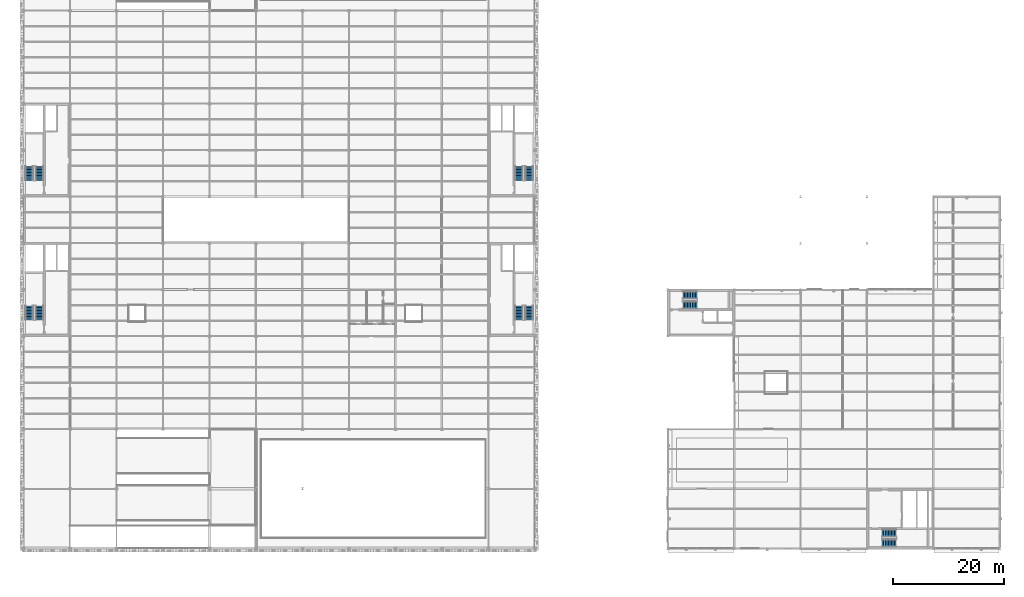
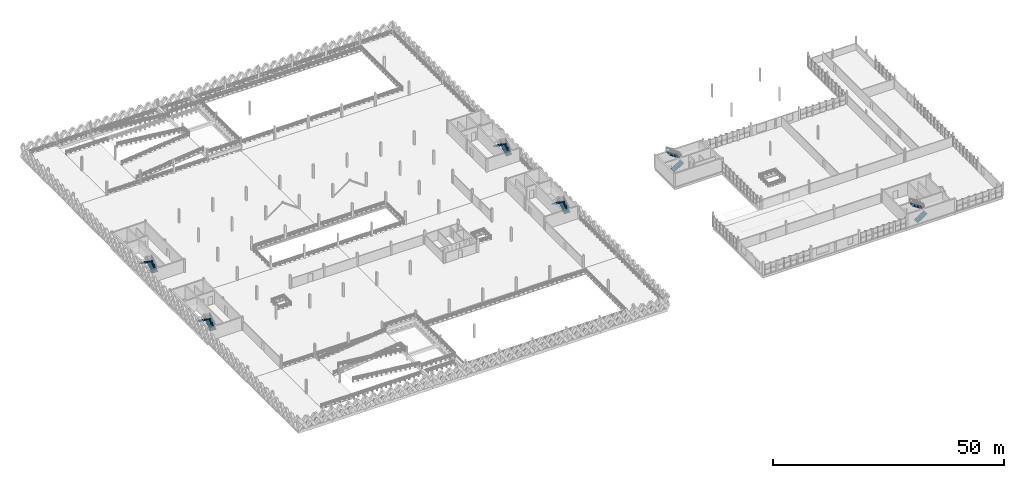
# One storey, part 68 of 79: 12 stair flights, 6 elements without a shape of their own.
"""IFC4 building model written with IfcOpenShell, lengths in metres."""

from ifc_helpers import new_model, si_unit, direction, frame, origin, place, context, subcontext, project, spatial, polyline, outline, extrude, material, type_object, element, aggregate, save


model = new_model("IFC4")

# Units and contexts
model_context = context("Model", 3, precision=1e-05, world=origin(), true_north=direction((0.0, 1.0)))
body_context = subcontext(model_context, "Body", "Model", "MODEL_VIEW")
ifc_project = project(units=[si_unit("LENGTHUNIT", "METRE"), si_unit("AREAUNIT", "SQUARE_METRE"), si_unit("VOLUMEUNIT", "CUBIC_METRE"), si_unit("PLANEANGLEUNIT", "RADIAN"), si_unit("MASSUNIT", "GRAM", prefix="KILO"), si_unit("THERMODYNAMICTEMPERATUREUNIT", "KELVIN"), si_unit("POWERUNIT", "WATT")], contexts=[model_context])

# Site, building, storey
site_placement = place(None, origin())
site = spatial("IfcSite", under=ifc_project, at=site_placement, CompositionType="ELEMENT")
building_placement = place(site_placement, origin())
building = spatial("IfcBuilding", under=site, at=building_placement, Name="Tembeka Court Mobility Hub", CompositionType="ELEMENT")
storey_placement = place(building_placement, frame((0.0, 0.0, 9.0)))
storey = spatial("IfcBuildingStorey", under=building, at=storey_placement, Name="L02", CompositionType="ELEMENT", Elevation=9.0)

# Stair, stair flights
ifc_material = material(Name="Concrete C40/50", Category="concrete")
stair_type_1 = type_object("IfcStairType", Name="STR-ST01L02", PredefinedType="HALF_TURN_STAIR", material=ifc_material)
stair_1_placement = place(storey_placement, origin())
stair_1 = element("IfcStair", 1, at=stair_1_placement, inside=storey, type_object=stair_type_1, Name="Protected exit stair ST01 (L02)", PredefinedType="HALF_TURN_STAIR")
stair_flight_type_1 = type_object("IfcStairFlightType", Name="STF-ST01L02F1", PredefinedType="STRAIGHT", material=ifc_material)
stair_flight_1_placement = place(storey_placement, frame((2.875, 41.35009765625, 0.0), z_axis=(0.0, 0.0, 1.0), x_axis=(0.0, 1.0, 0.0)))
stair_flight_1 = element("IfcStairFlight", 2, at=stair_flight_1_placement, type_object=stair_flight_type_1, Name="ST01L02 flight 1", NumberOfRisers=10, NumberOfTreads=9, PredefinedType="STRAIGHT", RiserHeight=0.18, TreadLength=0.28, context=body_context, shape_type="SweptSolid", body=[
    extrude(outline(polyline([(0.0, 0.0), (0.0, 0.179931640625), (0.280029296875, 0.179931640625), (0.280029296875, 0.360107421875), (0.56005859375, 0.360107421875), (0.56005859375, 0.5400390625), (0.840087890625, 0.5400390625), (0.840087890625, 0.719970703125), (1.1201171875, 0.719970703125), (1.1201171875, 0.89990234375), (1.39990234375, 0.89990234375), (1.39990234375, 1.080078125), (1.679931640625, 1.080078125), (1.679931640625, 1.260009765625), (1.9599609375, 1.260009765625), (1.9599609375, 1.43994140625), (2.239990234375, 1.43994140625), (2.239990234375, 1.6201171875), (2.52001953125, 1.6201171875), (2.52001953125, 1.800048828125), (2.52001953125, 1.44189453125), (0.277099609375, 0.0), (0.0, 0.0)])), frame((0.0, 0.72509765625, 0.0), z_axis=(0.0, -1.0, 0.0), x_axis=(1.0, 0.0, 0.0)), (0.0, 0.0, 1.0), 1.449951171875),
])
stair_flight_type_2 = type_object("IfcStairFlightType", Name="STF-ST01L02F2", PredefinedType="STRAIGHT", material=ifc_material)
stair_flight_2_placement = place(storey_placement, frame((1.02490234375, 43.8701171875, 1.800048828125), z_axis=(0.0, 0.0, 1.0), x_axis=(0.0, -1.0, 0.0)))
stair_flight_2 = element("IfcStairFlight", 3, at=stair_flight_2_placement, type_object=stair_flight_type_2, Name="ST01L02 flight 2", NumberOfRisers=10, NumberOfTreads=9, PredefinedType="STRAIGHT", RiserHeight=0.18, TreadLength=0.28, context=body_context, shape_type="SweptSolid", body=[
    extrude(outline(polyline([(0.0, 0.0), (0.0, 0.179931640625), (0.280029296875, 0.179931640625), (0.280029296875, 0.360107421875), (0.56005859375, 0.360107421875), (0.56005859375, 0.5400390625), (0.840087890625, 0.5400390625), (0.840087890625, 0.719970703125), (1.1201171875, 0.719970703125), (1.1201171875, 0.89990234375), (1.39990234375, 0.89990234375), (1.39990234375, 1.080078125), (1.679931640625, 1.080078125), (1.679931640625, 1.260009765625), (1.9599609375, 1.260009765625), (1.9599609375, 1.43994140625), (2.239990234375, 1.43994140625), (2.239990234375, 1.6201171875), (2.52001953125, 1.6201171875), (2.52001953125, 1.800048828125), (2.52001953125, 1.44189453125), (0.277099609375, 0.0), (0.0, 0.0)])), frame((0.0, 0.72509765625, 0.0), z_axis=(0.0, -1.0, 0.0), x_axis=(1.0, 0.0, 0.0)), (0.0, 0.0, 1.0), 1.449951171875),
])
aggregate(stair_1, [stair_flight_1, stair_flight_2])

stair_type_2 = type_object("IfcStairType", Name="STR-ST02L02", PredefinedType="HALF_TURN_STAIR", material=ifc_material)
stair_2_placement = place(storey_placement, origin())
stair_2 = element("IfcStair", 4, at=stair_2_placement, inside=storey, type_object=stair_type_2, Name="Protected exit stair ST02 (L02)", PredefinedType="HALF_TURN_STAIR")
stair_flight_type_3 = type_object("IfcStairFlightType", Name="STF-ST02L02F1", PredefinedType="STRAIGHT", material=ifc_material)
stair_flight_3_placement = place(storey_placement, frame((91.375, 66.550048828125, 0.0), z_axis=(0.0, 0.0, 1.0), x_axis=(0.0, 1.0, 0.0)))
stair_flight_3 = element("IfcStairFlight", 5, at=stair_flight_3_placement, type_object=stair_flight_type_3, Name="ST02L02 flight 1", NumberOfRisers=10, NumberOfTreads=9, PredefinedType="STRAIGHT", RiserHeight=0.18, TreadLength=0.28, context=body_context, shape_type="SweptSolid", body=[
    extrude(outline(polyline([(0.0, 0.0), (0.0, 0.179931640625), (0.280029296875, 0.179931640625), (0.280029296875, 0.360107421875), (0.56005859375, 0.360107421875), (0.56005859375, 0.5400390625), (0.840087890625, 0.5400390625), (0.840087890625, 0.719970703125), (1.1201171875, 0.719970703125), (1.1201171875, 0.89990234375), (1.39990234375, 0.89990234375), (1.39990234375, 1.080078125), (1.679931640625, 1.080078125), (1.679931640625, 1.260009765625), (1.9599609375, 1.260009765625), (1.9599609375, 1.43994140625), (2.239990234375, 1.43994140625), (2.239990234375, 1.6201171875), (2.52001953125, 1.6201171875), (2.52001953125, 1.800048828125), (2.52001953125, 1.44189453125), (0.277099609375, 0.0), (0.0, 0.0)])), frame((0.0, 0.72509765625, 0.0), z_axis=(0.0, -1.0, 0.0), x_axis=(1.0, 0.0, 0.0)), (0.0, 0.0, 1.0), 1.449951171875),
])
stair_flight_type_4 = type_object("IfcStairFlightType", Name="STF-ST02L02F2", PredefinedType="STRAIGHT", material=ifc_material)
stair_flight_4_placement = place(storey_placement, frame((89.52490234375, 69.070068359375, 1.800048828125), z_axis=(0.0, 0.0, 1.0), x_axis=(0.0, -1.0, 0.0)))
stair_flight_4 = element("IfcStairFlight", 6, at=stair_flight_4_placement, type_object=stair_flight_type_4, Name="ST02L02 flight 2", NumberOfRisers=10, NumberOfTreads=9, PredefinedType="STRAIGHT", RiserHeight=0.18, TreadLength=0.28, context=body_context, shape_type="SweptSolid", body=[
    extrude(outline(polyline([(0.0, 0.0), (0.0, 0.179931640625), (0.280029296875, 0.179931640625), (0.280029296875, 0.360107421875), (0.56005859375, 0.360107421875), (0.56005859375, 0.5400390625), (0.840087890625, 0.5400390625), (0.840087890625, 0.719970703125), (1.1201171875, 0.719970703125), (1.1201171875, 0.89990234375), (1.39990234375, 0.89990234375), (1.39990234375, 1.080078125), (1.679931640625, 1.080078125), (1.679931640625, 1.260009765625), (1.9599609375, 1.260009765625), (1.9599609375, 1.43994140625), (2.239990234375, 1.43994140625), (2.239990234375, 1.6201171875), (2.52001953125, 1.6201171875), (2.52001953125, 1.800048828125), (2.52001953125, 1.44189453125), (0.277099609375, 0.0), (0.0, 0.0)])), frame((0.0, 0.72509765625, 0.0), z_axis=(0.0, -1.0, 0.0), x_axis=(1.0, 0.0, 0.0)), (0.0, 0.0, 1.0), 1.449951171875),
])
aggregate(stair_2, [stair_flight_3, stair_flight_4])

stair_type_3 = type_object("IfcStairType", Name="STR-ST03L02", PredefinedType="HALF_TURN_STAIR", material=ifc_material)
stair_3_placement = place(storey_placement, origin())
stair_3 = element("IfcStair", 7, at=stair_3_placement, inside=storey, type_object=stair_type_3, Name="Protected exit stair ST03 (L02)", PredefinedType="HALF_TURN_STAIR")
stair_flight_type_5 = type_object("IfcStairFlightType", Name="STF-ST03L02F1", PredefinedType="STRAIGHT", material=ifc_material)
stair_flight_5_placement = place(storey_placement, frame((2.875, 66.550048828125, 0.0), z_axis=(0.0, 0.0, 1.0), x_axis=(0.0, 1.0, 0.0)))
stair_flight_5 = element("IfcStairFlight", 8, at=stair_flight_5_placement, type_object=stair_flight_type_5, Name="ST03L02 flight 1", NumberOfRisers=10, NumberOfTreads=9, PredefinedType="STRAIGHT", RiserHeight=0.18, TreadLength=0.28, context=body_context, shape_type="SweptSolid", body=[
    extrude(outline(polyline([(0.0, 0.0), (0.0, 0.179931640625), (0.280029296875, 0.179931640625), (0.280029296875, 0.360107421875), (0.56005859375, 0.360107421875), (0.56005859375, 0.5400390625), (0.840087890625, 0.5400390625), (0.840087890625, 0.719970703125), (1.1201171875, 0.719970703125), (1.1201171875, 0.89990234375), (1.39990234375, 0.89990234375), (1.39990234375, 1.080078125), (1.679931640625, 1.080078125), (1.679931640625, 1.260009765625), (1.9599609375, 1.260009765625), (1.9599609375, 1.43994140625), (2.239990234375, 1.43994140625), (2.239990234375, 1.6201171875), (2.52001953125, 1.6201171875), (2.52001953125, 1.800048828125), (2.52001953125, 1.44189453125), (0.277099609375, 0.0), (0.0, 0.0)])), frame((0.0, 0.72509765625, 0.0), z_axis=(0.0, -1.0, 0.0), x_axis=(1.0, 0.0, 0.0)), (0.0, 0.0, 1.0), 1.449951171875),
])
stair_flight_type_6 = type_object("IfcStairFlightType", Name="STF-ST03L02F2", PredefinedType="STRAIGHT", material=ifc_material)
stair_flight_6_placement = place(storey_placement, frame((1.02490234375, 69.070068359375, 1.800048828125), z_axis=(0.0, 0.0, 1.0), x_axis=(0.0, -1.0, 0.0)))
stair_flight_6 = element("IfcStairFlight", 9, at=stair_flight_6_placement, type_object=stair_flight_type_6, Name="ST03L02 flight 2", NumberOfRisers=10, NumberOfTreads=9, PredefinedType="STRAIGHT", RiserHeight=0.18, TreadLength=0.28, context=body_context, shape_type="SweptSolid", body=[
    extrude(outline(polyline([(0.0, 0.0), (0.0, 0.179931640625), (0.280029296875, 0.179931640625), (0.280029296875, 0.360107421875), (0.56005859375, 0.360107421875), (0.56005859375, 0.5400390625), (0.840087890625, 0.5400390625), (0.840087890625, 0.719970703125), (1.1201171875, 0.719970703125), (1.1201171875, 0.89990234375), (1.39990234375, 0.89990234375), (1.39990234375, 1.080078125), (1.679931640625, 1.080078125), (1.679931640625, 1.260009765625), (1.9599609375, 1.260009765625), (1.9599609375, 1.43994140625), (2.239990234375, 1.43994140625), (2.239990234375, 1.6201171875), (2.52001953125, 1.6201171875), (2.52001953125, 1.800048828125), (2.52001953125, 1.44189453125), (0.277099609375, 0.0), (0.0, 0.0)])), frame((0.0, 0.72509765625, 0.0), z_axis=(0.0, -1.0, 0.0), x_axis=(1.0, 0.0, 0.0)), (0.0, 0.0, 1.0), 1.449951171875),
])
aggregate(stair_3, [stair_flight_5, stair_flight_6])

stair_type_4 = type_object("IfcStairType", Name="STR-ST04L02", PredefinedType="HALF_TURN_STAIR", material=ifc_material)
stair_4_placement = place(storey_placement, origin())
stair_4 = element("IfcStair", 10, at=stair_4_placement, inside=storey, type_object=stair_type_4, Name="Protected exit stair ST04 (L02)", PredefinedType="HALF_TURN_STAIR")
stair_flight_type_7 = type_object("IfcStairFlightType", Name="STF-ST04L02F1", PredefinedType="STRAIGHT", material=ifc_material)
stair_flight_7_placement = place(storey_placement, frame((91.375, 41.35009765625, 0.0), z_axis=(0.0, 0.0, 1.0), x_axis=(0.0, 1.0, 0.0)))
stair_flight_7 = element("IfcStairFlight", 11, at=stair_flight_7_placement, type_object=stair_flight_type_7, Name="ST04L02 flight 1", NumberOfRisers=10, NumberOfTreads=9, PredefinedType="STRAIGHT", RiserHeight=0.18, TreadLength=0.28, context=body_context, shape_type="SweptSolid", body=[
    extrude(outline(polyline([(0.0, 0.0), (0.0, 0.179931640625), (0.280029296875, 0.179931640625), (0.280029296875, 0.360107421875), (0.56005859375, 0.360107421875), (0.56005859375, 0.5400390625), (0.840087890625, 0.5400390625), (0.840087890625, 0.719970703125), (1.1201171875, 0.719970703125), (1.1201171875, 0.89990234375), (1.39990234375, 0.89990234375), (1.39990234375, 1.080078125), (1.679931640625, 1.080078125), (1.679931640625, 1.260009765625), (1.9599609375, 1.260009765625), (1.9599609375, 1.43994140625), (2.239990234375, 1.43994140625), (2.239990234375, 1.6201171875), (2.52001953125, 1.6201171875), (2.52001953125, 1.800048828125), (2.52001953125, 1.44189453125), (0.277099609375, 0.0), (0.0, 0.0)])), frame((0.0, 0.72509765625, 0.0), z_axis=(0.0, -1.0, 0.0), x_axis=(1.0, 0.0, 0.0)), (0.0, 0.0, 1.0), 1.449951171875),
])
stair_flight_type_8 = type_object("IfcStairFlightType", Name="STF-ST04L02F2", PredefinedType="STRAIGHT", material=ifc_material)
stair_flight_8_placement = place(storey_placement, frame((89.52490234375, 43.8701171875, 1.800048828125), z_axis=(0.0, 0.0, 1.0), x_axis=(0.0, -1.0, 0.0)))
stair_flight_8 = element("IfcStairFlight", 12, at=stair_flight_8_placement, type_object=stair_flight_type_8, Name="ST04L02 flight 2", NumberOfRisers=10, NumberOfTreads=9, PredefinedType="STRAIGHT", RiserHeight=0.18, TreadLength=0.28, context=body_context, shape_type="SweptSolid", body=[
    extrude(outline(polyline([(0.0, 0.0), (0.0, 0.179931640625), (0.280029296875, 0.179931640625), (0.280029296875, 0.360107421875), (0.56005859375, 0.360107421875), (0.56005859375, 0.5400390625), (0.840087890625, 0.5400390625), (0.840087890625, 0.719970703125), (1.1201171875, 0.719970703125), (1.1201171875, 0.89990234375), (1.39990234375, 0.89990234375), (1.39990234375, 1.080078125), (1.679931640625, 1.080078125), (1.679931640625, 1.260009765625), (1.9599609375, 1.260009765625), (1.9599609375, 1.43994140625), (2.239990234375, 1.43994140625), (2.239990234375, 1.6201171875), (2.52001953125, 1.6201171875), (2.52001953125, 1.800048828125), (2.52001953125, 1.44189453125), (0.277099609375, 0.0), (0.0, 0.0)])), frame((0.0, 0.72509765625, 0.0), z_axis=(0.0, -1.0, 0.0), x_axis=(1.0, 0.0, 0.0)), (0.0, 0.0, 1.0), 1.449951171875),
])
aggregate(stair_4, [stair_flight_7, stair_flight_8])

stair_type_5 = type_object("IfcStairType", Name="STR-ST05L02", PredefinedType="HALF_TURN_STAIR", material=ifc_material)
stair_5_placement = place(storey_placement, origin())
stair_5 = element("IfcStair", 13, at=stair_5_placement, inside=storey, type_object=stair_type_5, Name="Protected exit stair ST05 (L02)", PredefinedType="HALF_TURN_STAIR")
stair_flight_type_9 = type_object("IfcStairFlightType", Name="STF-ST05L02F1", PredefinedType="STRAIGHT", material=ifc_material)
stair_flight_9_placement = place(storey_placement, frame((119.14990234375, 44.0, 0.0), z_axis=(0.0, 0.0, 1.0), x_axis=(1.0, 0.0, 0.0)))
stair_flight_9 = element("IfcStairFlight", 14, at=stair_flight_9_placement, type_object=stair_flight_type_9, Name="ST05L02 flight 1", NumberOfRisers=10, NumberOfTreads=9, PredefinedType="STRAIGHT", RiserHeight=0.18, TreadLength=0.28, context=body_context, shape_type="SweptSolid", body=[
    extrude(outline(polyline([(0.0, 0.0), (0.0, 0.179931640625), (0.280029296875, 0.179931640625), (0.280029296875, 0.360107421875), (0.56005859375, 0.360107421875), (0.56005859375, 0.5400390625), (0.840087890625, 0.5400390625), (0.840087890625, 0.719970703125), (1.1201171875, 0.719970703125), (1.1201171875, 0.89990234375), (1.39990234375, 0.89990234375), (1.39990234375, 1.080078125), (1.679931640625, 1.080078125), (1.679931640625, 1.260009765625), (1.9599609375, 1.260009765625), (1.9599609375, 1.43994140625), (2.239990234375, 1.43994140625), (2.239990234375, 1.6201171875), (2.52001953125, 1.6201171875), (2.52001953125, 1.800048828125), (2.52001953125, 1.44189453125), (0.277099609375, 0.0), (0.0, 0.0)])), frame((0.0, 0.699951171875, 0.0), z_axis=(0.0, -1.0, 0.0), x_axis=(1.0, 0.0, 0.0)), (0.0, 0.0, 1.0), 1.39990234375),
])
stair_flight_type_10 = type_object("IfcStairFlightType", Name="STF-ST05L02F2", PredefinedType="STRAIGHT", material=ifc_material)
stair_flight_10_placement = place(storey_placement, frame((121.669921875, 45.800048828125, 1.800048828125), z_axis=(0.0, 0.0, 1.0), x_axis=(-1.0, 0.0, 0.0)))
stair_flight_10 = element("IfcStairFlight", 15, at=stair_flight_10_placement, type_object=stair_flight_type_10, Name="ST05L02 flight 2", NumberOfRisers=10, NumberOfTreads=9, PredefinedType="STRAIGHT", RiserHeight=0.18, TreadLength=0.28, context=body_context, shape_type="SweptSolid", body=[
    extrude(outline(polyline([(0.0, 0.0), (0.0, 0.179931640625), (0.280029296875, 0.179931640625), (0.280029296875, 0.360107421875), (0.56005859375, 0.360107421875), (0.56005859375, 0.5400390625), (0.840087890625, 0.5400390625), (0.840087890625, 0.719970703125), (1.1201171875, 0.719970703125), (1.1201171875, 0.89990234375), (1.39990234375, 0.89990234375), (1.39990234375, 1.080078125), (1.679931640625, 1.080078125), (1.679931640625, 1.260009765625), (1.9599609375, 1.260009765625), (1.9599609375, 1.43994140625), (2.239990234375, 1.43994140625), (2.239990234375, 1.6201171875), (2.52001953125, 1.6201171875), (2.52001953125, 1.800048828125), (2.52001953125, 1.44189453125), (0.277099609375, 0.0), (0.0, 0.0)])), frame((0.0, 0.699951171875, 0.0), z_axis=(0.0, -1.0, 0.0), x_axis=(1.0, 0.0, 0.0)), (0.0, 0.0, 1.0), 1.39990234375),
])
aggregate(stair_5, [stair_flight_9, stair_flight_10])

stair_type_6 = type_object("IfcStairType", Name="STR-ST06L02", PredefinedType="HALF_TURN_STAIR", material=ifc_material)
stair_6_placement = place(storey_placement, origin())
stair_6 = element("IfcStair", 16, at=stair_6_placement, inside=storey, type_object=stair_type_6, Name="Protected exit stair ST06 (L02)", PredefinedType="HALF_TURN_STAIR")
stair_flight_type_11 = type_object("IfcStairFlightType", Name="STF-ST06L02F1", PredefinedType="STRAIGHT", material=ifc_material)
stair_flight_11_placement = place(storey_placement, frame((155.14990234375, 1.0, 0.0), z_axis=(0.0, 0.0, 1.0), x_axis=(1.0, 0.0, 0.0)))
stair_flight_11 = element("IfcStairFlight", 17, at=stair_flight_11_placement, type_object=stair_flight_type_11, Name="ST06L02 flight 1", NumberOfRisers=10, NumberOfTreads=9, PredefinedType="STRAIGHT", RiserHeight=0.18, TreadLength=0.28, context=body_context, shape_type="SweptSolid", body=[
    extrude(outline(polyline([(0.0, 0.0), (0.0, 0.179931640625), (0.280029296875, 0.179931640625), (0.280029296875, 0.360107421875), (0.56005859375, 0.360107421875), (0.56005859375, 0.5400390625), (0.840087890625, 0.5400390625), (0.840087890625, 0.719970703125), (1.1201171875, 0.719970703125), (1.1201171875, 0.89990234375), (1.39990234375, 0.89990234375), (1.39990234375, 1.080078125), (1.679931640625, 1.080078125), (1.679931640625, 1.260009765625), (1.9599609375, 1.260009765625), (1.9599609375, 1.43994140625), (2.239990234375, 1.43994140625), (2.239990234375, 1.6201171875), (2.52001953125, 1.6201171875), (2.52001953125, 1.800048828125), (2.52001953125, 1.44189453125), (0.277099609375, 0.0), (0.0, 0.0)])), frame((0.0, 0.699951171875, 0.0), z_axis=(0.0, -1.0, 0.0), x_axis=(1.0, 0.0, 0.0)), (0.0, 0.0, 1.0), 1.39990234375),
])
stair_flight_type_12 = type_object("IfcStairFlightType", Name="STF-ST06L02F2", PredefinedType="STRAIGHT", material=ifc_material)
stair_flight_12_placement = place(storey_placement, frame((157.669921875, 2.800048828125, 1.800048828125), z_axis=(0.0, 0.0, 1.0), x_axis=(-1.0, 0.0, 0.0)))
stair_flight_12 = element("IfcStairFlight", 18, at=stair_flight_12_placement, type_object=stair_flight_type_12, Name="ST06L02 flight 2", NumberOfRisers=10, NumberOfTreads=9, PredefinedType="STRAIGHT", RiserHeight=0.18, TreadLength=0.28, context=body_context, shape_type="SweptSolid", body=[
    extrude(outline(polyline([(0.0, 0.0), (0.0, 0.179931640625), (0.280029296875, 0.179931640625), (0.280029296875, 0.360107421875), (0.56005859375, 0.360107421875), (0.56005859375, 0.5400390625), (0.840087890625, 0.5400390625), (0.840087890625, 0.719970703125), (1.1201171875, 0.719970703125), (1.1201171875, 0.89990234375), (1.39990234375, 0.89990234375), (1.39990234375, 1.080078125), (1.679931640625, 1.080078125), (1.679931640625, 1.260009765625), (1.9599609375, 1.260009765625), (1.9599609375, 1.43994140625), (2.239990234375, 1.43994140625), (2.239990234375, 1.6201171875), (2.52001953125, 1.6201171875), (2.52001953125, 1.800048828125), (2.52001953125, 1.44189453125), (0.277099609375, 0.0), (0.0, 0.0)])), frame((0.0, 0.699951171875, 0.0), z_axis=(0.0, -1.0, 0.0), x_axis=(1.0, 0.0, 0.0)), (0.0, 0.0, 1.0), 1.39990234375),
])
aggregate(stair_6, [stair_flight_11, stair_flight_12])

save(model, "model.ifc")
